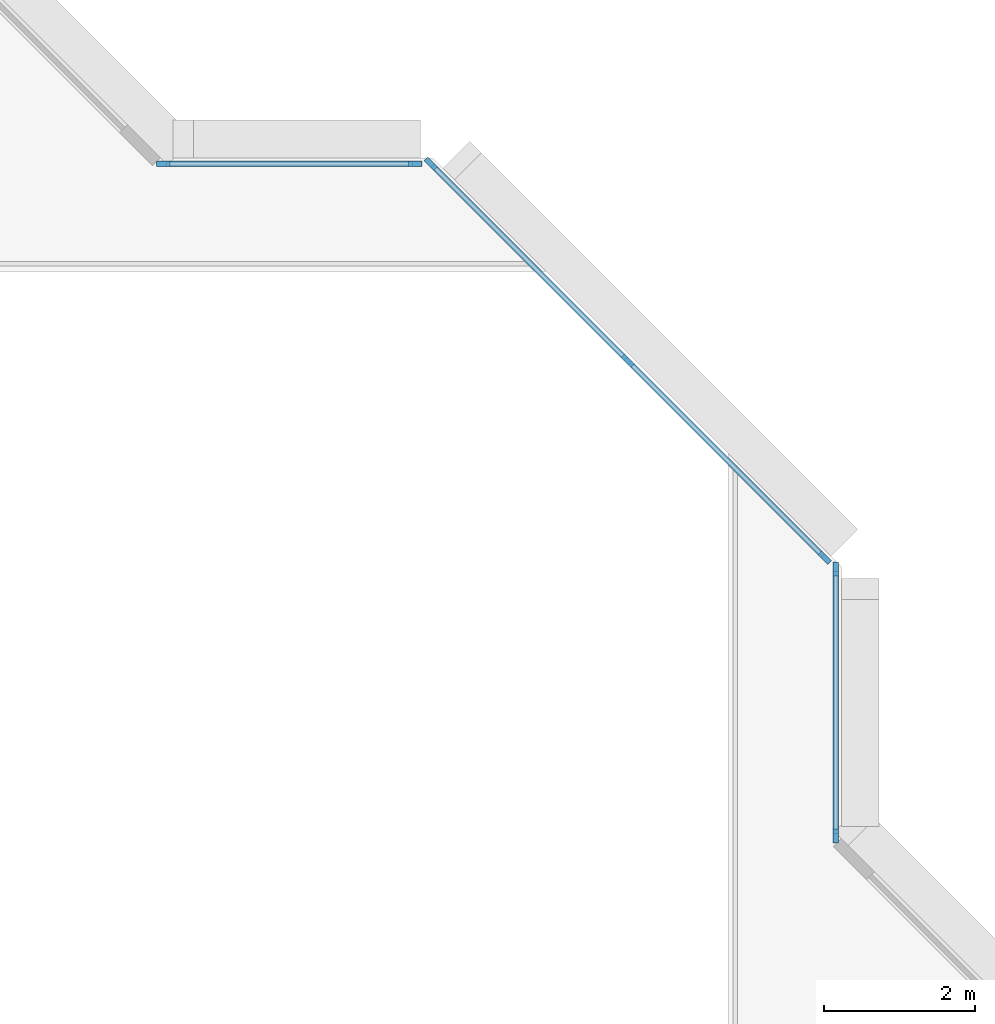
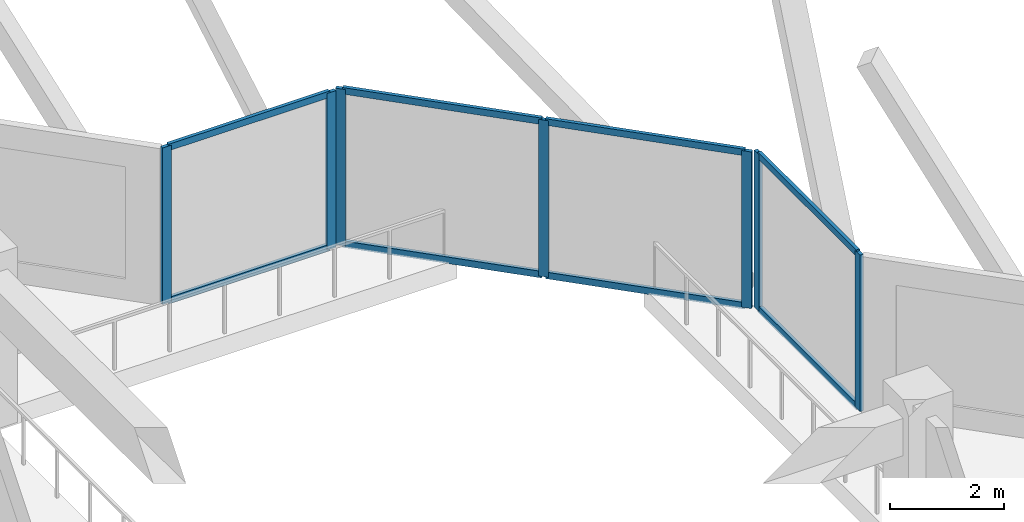
# One storey, part 2 of 14: 15 members, 3 elements without a shape of their own.
"""IFC4 building model written with IfcOpenShell, lengths in metres."""

import ifcopenshell
import ifcopenshell.guid

model = None  # the IFC model being written
_history = None  # IfcOwnerHistory: only IFC2X3 demands one
_inside = {}  # id of a spatial element -> (the spatial element, [elements in it])
_under = {}  # id of a project, library or spatial element -> (it, [spatial elements below it])
_declared = {}  # id of a project -> (the project, [libraries it declares])
_typed = {}  # id of a type object -> (the type object, [elements of that type])
_made_of = {}  # id of a material, layer set ... -> (it, [elements and type objects made of it])


def new_model(schema):
    """Start an empty IFC model of exactly this schema.

    Asked for "IFC4X3", IfcOpenShell would pick the latest addendum, in which some entities
    have other attributes; the version numbers below select the first issue.
    IFC2X3 requires an IfcOwnerHistory on every rooted entity: one is made here for all.
    """
    global model, _history
    if schema == "IFC4X3":
        model = ifcopenshell.file(schema_version=(4, 3, 0, 0))
    else:
        model = ifcopenshell.file(schema=schema)
    _inside.clear()
    _under.clear()
    _declared.clear()
    _typed.clear()
    _made_of.clear()
    _history = None
    if model.schema == "IFC2X3":
        org = make("IfcOrganization", Name="unknown")
        user = make(
            "IfcPersonAndOrganization",
            ThePerson=make("IfcPerson", FamilyName="unknown"),
            TheOrganization=org,
        )
        app = make(
            "IfcApplication",
            ApplicationDeveloper=org,
            Version="unknown",
            ApplicationFullName="unknown",
            ApplicationIdentifier="unknown",
        )
        _history = make(
            "IfcOwnerHistory",
            OwningUser=user,
            OwningApplication=app,
            ChangeAction="ADDED",
            CreationDate=0,
        )
    return model


def make(cls, **values):
    """One entity of the class cls with the attributes given. An attribute that is None is left unset."""
    return model.create_entity(
        cls, **{name: value for name, value in values.items() if value is not None}
    )


def rooted(cls, **values):
    """An entity with a GlobalId (a new one), such as an element, a storey or a relation."""
    return make(cls, GlobalId=ifcopenshell.guid.new(), OwnerHistory=_history, **values)


def si_unit(unit_type, name, prefix=None):
    """IfcSIUnit, for example si_unit("LENGTHUNIT", "METRE", prefix="MILLI")."""
    return make("IfcSIUnit", UnitType=unit_type, Prefix=prefix, Name=name)


def assignment(units):
    """IfcUnitAssignment: the units of a project."""
    return None if units is None else make("IfcUnitAssignment", Units=units)


def point(xyz):
    """IfcCartesianPoint."""
    return None if xyz is None else make("IfcCartesianPoint", Coordinates=xyz)


def direction(xyz):
    """IfcDirection."""
    return None if xyz is None else make("IfcDirection", DirectionRatios=xyz)


def frame(location, z_axis=None, x_axis=None):
    """IfcAxis2Placement3D, a coordinate frame: its origin and axes. An axis left out is left unset."""
    return make(
        "IfcAxis2Placement3D",
        Location=point(location),
        Axis=direction(z_axis),
        RefDirection=direction(x_axis),
    )


def frame_2d(location, x_axis=None):
    """IfcAxis2Placement2D, a coordinate frame in the plane: its origin and x axis."""
    return make(
        "IfcAxis2Placement2D", Location=point(location), RefDirection=direction(x_axis)
    )


def origin():
    """The frame at (0, 0, 0) with its axes left unset."""
    return frame((0.0, 0.0, 0.0))


def origin_2d():
    """The frame at (0, 0) in the plane with its x axis left unset."""
    return frame_2d((0.0, 0.0))


def place(relative_to, where):
    """IfcLocalPlacement: puts the frame where relative to a parent placement (None: the world)."""
    return make(
        "IfcLocalPlacement", PlacementRelTo=relative_to, RelativePlacement=where
    )


def context(
    kind, dimensions, precision=None, world=None, true_north=None, identifier=None
):
    """IfcGeometricRepresentationContext, for example the 3D "Model" context."""
    return make(
        "IfcGeometricRepresentationContext",
        ContextIdentifier=identifier,
        ContextType=kind,
        CoordinateSpaceDimension=dimensions,
        Precision=precision,
        WorldCoordinateSystem=world,
        TrueNorth=true_north,
    )


def subcontext(parent, identifier, kind, view, scale=None):
    """IfcGeometricRepresentationSubContext, for example "Body" below "Model"."""
    return make(
        "IfcGeometricRepresentationSubContext",
        ContextIdentifier=identifier,
        ContextType=kind,
        ParentContext=parent,
        TargetScale=scale,
        TargetView=view,
    )


def project(units=None, contexts=None):
    """IfcProject with its units and contexts."""
    return rooted(
        "IfcProject",
        Name="project",
        RepresentationContexts=contexts,
        UnitsInContext=assignment(units),
    )


def spatial(cls, under=None, at=None, **own):
    """A site, building, storey or space (cls), placed at a placement, below another one or the project."""
    s = rooted(cls, ObjectPlacement=at, **own)
    if under is not None:
        _under.setdefault(under.id(), (under, []))[1].append(s)
    return s


def profile(cls, at=None, kind="AREA", **sizes):
    """A parametric profile (cls). Its sizes go by their IFC names, for example OverallWidth=200.0."""
    return make(cls, ProfileType=kind, Position=at, **sizes)


def rectangle(**sizes):
    """IfcRectangleProfileDef."""
    return profile("IfcRectangleProfileDef", **sizes)


def extrude(swept, where, along, depth):
    """IfcExtrudedAreaSolid: the profile swept, set in the frame where, extruded along a direction by depth."""
    return make(
        "IfcExtrudedAreaSolid",
        SweptArea=swept,
        Position=where,
        ExtrudedDirection=direction(along),
        Depth=depth,
    )


def shape(context_of_items, identifier, shape_type, items):
    """IfcShapeRepresentation: the items that make up one representation, for example the "Body"."""
    return make(
        "IfcShapeRepresentation",
        ContextOfItems=context_of_items,
        RepresentationIdentifier=identifier,
        RepresentationType=shape_type,
        Items=items,
    )


def material(Name=None, Category=None):
    """IfcMaterial."""
    return make("IfcMaterial", Name=Name, Category=Category)


def layer(
    of_material, thickness, ventilated=None, Name=None, Category=None, Priority=None
):
    """IfcMaterialLayer: one layer of a wall or slab, of a material (None: an air gap)."""
    return make(
        "IfcMaterialLayer",
        Material=of_material,
        LayerThickness=thickness,
        IsVentilated=ventilated,
        Name=Name,
        Category=Category,
        Priority=Priority,
    )


def layer_set(layers, Name=None):
    """IfcMaterialLayerSet."""
    return make("IfcMaterialLayerSet", MaterialLayers=layers, LayerSetName=Name)


def material_profile(
    of_material, cross_section, Name=None, Category=None, Priority=None
):
    """IfcMaterialProfile: a cross section and its material."""
    return make(
        "IfcMaterialProfile",
        Name=Name,
        Material=of_material,
        Profile=cross_section,
        Priority=Priority,
        Category=Category,
    )


def profile_set(profiles, Name=None, composite=None):
    """IfcMaterialProfileSet."""
    return make(
        "IfcMaterialProfileSet",
        Name=Name,
        MaterialProfiles=profiles,
        CompositeProfile=composite,
    )


def made_of(thing, what):
    """Note that an element or type object is made of a material, layer set ...; save() writes the relation."""
    if what is not None:
        _made_of.setdefault(what.id(), (what, []))[1].append(thing)
    return thing


def type_object(cls, material=None, **own):
    """A type object (cls), such as IfcWallType, which elements share."""
    return made_of(rooted(cls, **own), material)


def element(
    cls,
    number,
    at=None,
    inside=None,
    cuts=None,
    type_object=None,
    material=None,
    context=None,
    identifier="Body",
    shape_type=None,
    held_by="IfcProductDefinitionShape",
    body=None,
    shapes=None,
    **own,
):
    """One element of the class cls, such as IfcWall. Its Tag is "e" and its number.

    at: its placement. inside: the storey or other place that contains it. cuts: it is an
    opening in that element (IfcRelVoidsElement). A single representation is given by context,
    identifier, shape_type and body (its items); several are given by shapes. held_by: the class
    of the entity that holds the representations. save() writes the other relations.
    """
    e = rooted(cls, Tag="e%d" % number, ObjectPlacement=at, **own)
    if body is not None:
        shapes = [shape(context, identifier, shape_type, body)]
    if shapes is not None:
        e.Representation = make(held_by, Representations=shapes)
    if inside is not None:
        _inside.setdefault(inside.id(), (inside, []))[1].append(e)
    if cuts is not None:
        rooted(
            "IfcRelVoidsElement", RelatingBuildingElement=cuts, RelatedOpeningElement=e
        )
    if type_object is not None:
        _typed.setdefault(type_object.id(), (type_object, []))[1].append(e)
    return made_of(e, material)


def aggregate(whole, parts):
    """IfcRelAggregates: a whole, such as a stair, and the parts it consists of."""
    return rooted("IfcRelAggregates", RelatingObject=whole, RelatedObjects=parts)


def save(model, path):
    """Write the relations noted so far, then the file.

    IfcRelAggregates (storeys below a building ...), IfcRelContainedInSpatialStructure (elements
    in a storey), IfcRelDefinesByType, IfcRelAssociatesMaterial and IfcRelDeclares: one each for
    every whole, place, type object, material and project.
    """
    for whole, parts in _under.values():
        aggregate(whole, parts)
    for where, things in _inside.values():
        rooted(
            "IfcRelContainedInSpatialStructure",
            RelatedElements=things,
            RelatingStructure=where,
        )
    for kind, things in _typed.values():
        rooted("IfcRelDefinesByType", RelatedObjects=things, RelatingType=kind)
    for what, things in _made_of.values():
        rooted("IfcRelAssociatesMaterial", RelatedObjects=things, RelatingMaterial=what)
    for by, libraries in _declared.values():
        rooted("IfcRelDeclares", RelatingContext=by, RelatedDefinitions=libraries)
    model.write(path)


model = new_model("IFC4")

# Units and contexts
model_context = context("Model", 3, precision=1e-05, world=origin(), true_north=direction((0.0, 1.0)))
body_context = subcontext(model_context, "Body", "Model", "MODEL_VIEW")
ifc_project = project(units=[si_unit("LENGTHUNIT", "METRE"), si_unit("AREAUNIT", "SQUARE_METRE"), si_unit("VOLUMEUNIT", "CUBIC_METRE"), si_unit("PLANEANGLEUNIT", "RADIAN"), si_unit("MASSUNIT", "GRAM", prefix="KILO")], contexts=[model_context])

# Site, building, storey
site_placement = place(None, origin())
site = spatial("IfcSite", under=ifc_project, at=site_placement, CompositionType="ELEMENT")
building_placement = place(site_placement, origin())
building = spatial("IfcBuilding", under=site, at=building_placement, Name="Chenar Terraces", CompositionType="ELEMENT")
storey_placement = place(building_placement, frame((0.0, 0.0, 179.89990234375)))
storey = spatial("IfcBuildingStorey", under=building, at=storey_placement, Name="L41", CompositionType="ELEMENT", Elevation=179.89990234375)

# Curtain wall, members
ifc_material_1 = material(Name="Aluminium framed glazing", Category="aluminium")
ifc_layer = layer(ifc_material_1, 0.14990234375)
ifc_layer_set = layer_set([ifc_layer], Name="Aluminium framed glazing")
curtain_wall_type = type_object("IfcCurtainWallType", Name="Atrium mid-zone curtain wall", PredefinedType="NOTDEFINED", material=ifc_layer_set)
placement = place(storey_placement, origin())
curtain_wall_1 = element("IfcCurtainWall", 1, at=placement, inside=storey, type_object=curtain_wall_type, Name="Atrium mid-zone curtain wall", PredefinedType="NOTDEFINED")
ifc_material_2 = material(Name="Aluminium", Category="aluminium")
ifc_material_profile_1 = material_profile(ifc_material_2, rectangle(XDim=0.070068359375, YDim=0.179931640625, at=origin_2d()), Name="Atrium mid-zone glazing mullion 70 x 180")
ifc_profile_set_1 = profile_set([ifc_material_profile_1], Name="Aluminium")
member_type_1 = type_object("IfcMemberType", Name="Atrium mid-zone glazing mullion 70 x 180", PredefinedType="MULLION", material=ifc_profile_set_1)
member_1_placement = place(storey_placement, frame((37.425048828125, 28.534912109375, 0.0), z_axis=(0.0, 0.0, 1.0), x_axis=(-1.0, 0.0, 0.0)))
member_1 = element("IfcMember", 2, at=member_1_placement, type_object=member_type_1, Name="CW7-1 mullion 1", PredefinedType="MULLION", context=body_context, shape_type="SweptSolid", body=[
    extrude(rectangle(XDim=0.070068359375, YDim=0.179931640625, at=origin_2d()), origin(), (0.0, 0.0, 1.0), 3.35009765625),
])
member_2_placement = place(storey_placement, frame((37.425048828125, 32.06494140625, 0.0), z_axis=(0.0, 0.0, 1.0), x_axis=(-1.0, 0.0, 0.0)))
member_2 = element("IfcMember", 3, at=member_2_placement, type_object=member_type_1, Name="CW7-1 mullion 2", PredefinedType="MULLION", context=body_context, shape_type="SweptSolid", body=[
    extrude(rectangle(XDim=0.070068359375, YDim=0.179931640625, at=origin_2d()), origin(), (0.0, 0.0, 1.0), 3.35009765625),
])

curtain_wall_2 = element("IfcCurtainWall", 4, at=placement, inside=storey, type_object=curtain_wall_type, Name="Atrium mid-zone curtain wall", PredefinedType="NOTDEFINED")
member_3_placement = place(storey_placement, frame((37.28076171875, 32.213134765625, 0.0), z_axis=(0.0, 0.0, 1.0), x_axis=(-0.707106781187, -0.707106781187, 0.0)))
member_3 = element("IfcMember", 5, at=member_3_placement, type_object=member_type_1, Name="CW7-2 mullion 1", PredefinedType="MULLION", context=body_context, shape_type="SweptSolid", body=[
    extrude(rectangle(XDim=0.070068359375, YDim=0.179931640625, at=origin_2d()), origin(), (0.0, 0.0, 1.0), 3.35009765625),
])
member_4_placement = place(storey_placement, frame((34.67626953125, 34.817626953125, 0.0), z_axis=(0.0, 0.0, 1.0), x_axis=(-0.707106781187, -0.707106781187, 0.0)))
member_4 = element("IfcMember", 6, at=member_4_placement, type_object=member_type_1, Name="CW7-2 mullion 2", PredefinedType="MULLION", context=body_context, shape_type="SweptSolid", body=[
    extrude(rectangle(XDim=0.070068359375, YDim=0.179931640625, at=origin_2d()), origin(), (0.0, 0.0, 1.0), 3.35009765625),
])
member_5_placement = place(storey_placement, frame((32.07177734375, 37.42236328125, 0.0), z_axis=(0.0, 0.0, 1.0), x_axis=(-0.707106781187, -0.707106781187, 0.0)))
member_5 = element("IfcMember", 7, at=member_5_placement, type_object=member_type_1, Name="CW7-2 mullion 3", PredefinedType="MULLION", context=body_context, shape_type="SweptSolid", body=[
    extrude(rectangle(XDim=0.070068359375, YDim=0.179931640625, at=origin_2d()), origin(), (0.0, 0.0, 1.0), 3.35009765625),
])

curtain_wall_3 = element("IfcCurtainWall", 8, at=placement, inside=storey, type_object=curtain_wall_type, Name="Atrium mid-zone curtain wall", PredefinedType="NOTDEFINED")
member_6_placement = place(storey_placement, frame((31.864990234375, 37.425048828125, 0.0), z_axis=(0.0, 0.0, 1.0), x_axis=(0.0, -1.0, 0.0)))
member_6 = element("IfcMember", 9, at=member_6_placement, type_object=member_type_1, Name="CW7-3 mullion 1", PredefinedType="MULLION", context=body_context, shape_type="SweptSolid", body=[
    extrude(rectangle(XDim=0.070068359375, YDim=0.179931640625, at=origin_2d()), origin(), (0.0, 0.0, 1.0), 3.35009765625),
])
member_7_placement = place(storey_placement, frame((28.534912109375, 37.425048828125, 0.0), z_axis=(0.0, 0.0, 1.0), x_axis=(0.0, -1.0, 0.0)))
member_7 = element("IfcMember", 10, at=member_7_placement, type_object=member_type_1, Name="CW7-3 mullion 2", PredefinedType="MULLION", context=body_context, shape_type="SweptSolid", body=[
    extrude(rectangle(XDim=0.070068359375, YDim=0.179931640625, at=origin_2d()), origin(), (0.0, 0.0, 1.0), 3.35009765625),
])

# Member
ifc_material_3 = material(Name="Aluminium", Category="aluminium")
ifc_material_profile_2 = material_profile(ifc_material_3, rectangle(XDim=0.070068359375, YDim=0.139892578125, at=origin_2d()), Name="Atrium mid-zone glazing transom 70 x 140")
ifc_profile_set_2 = profile_set([ifc_material_profile_2], Name="Aluminium")
member_type_2 = type_object("IfcMemberType", Name="Atrium mid-zone glazing transom 70 x 140", PredefinedType="USERDEFINED", material=ifc_profile_set_2)
member_8_placement = place(storey_placement, frame((37.425048828125, 28.570068359375, 0.03515625), z_axis=(0.0, 1.0, 0.0), x_axis=(-1.0, 0.0, 0.0)))
member_8 = element("IfcMember", 11, at=member_8_placement, type_object=member_type_2, Name="CW7-1 transom 1.1", ObjectType="TRANSOM", PredefinedType="USERDEFINED", context=body_context, shape_type="SweptSolid", body=[
    extrude(rectangle(XDim=0.070068359375, YDim=0.139892578125, at=origin_2d()), origin(), (0.0, 0.0, 1.0), 3.4599609375),
])

member_9_placement = place(storey_placement, frame((37.425048828125, 28.570068359375, 3.315185546875), z_axis=(0.0, 1.0, 0.0), x_axis=(-1.0, 0.0, 0.0)))
member_9 = element("IfcMember", 12, at=member_9_placement, type_object=member_type_2, Name="CW7-1 transom 1.2", ObjectType="TRANSOM", PredefinedType="USERDEFINED", context=body_context, shape_type="SweptSolid", body=[
    extrude(rectangle(XDim=0.070068359375, YDim=0.139892578125, at=origin_2d()), origin(), (0.0, 0.0, 1.0), 3.4599609375),
])

aggregate(curtain_wall_1, [member_1, member_2, member_8, member_9])

member_10_placement = place(storey_placement, frame((37.256103515625, 32.23779296875, 0.03515625), z_axis=(-0.707106781187, 0.707106781187, 0.0), x_axis=(-0.707106781187, -0.707106781187, 0.0)))
member_10 = element("IfcMember", 13, at=member_10_placement, type_object=member_type_2, Name="CW7-2 transom 1.1", ObjectType="TRANSOM", PredefinedType="USERDEFINED", context=body_context, shape_type="SweptSolid", body=[
    extrude(rectangle(XDim=0.070068359375, YDim=0.139892578125, at=origin_2d()), origin(), (0.0, 0.0, 1.0), 3.613525390625),
])

member_11_placement = place(storey_placement, frame((37.256103515625, 32.23779296875, 3.315185546875), z_axis=(-0.707106781187, 0.707106781187, 0.0), x_axis=(-0.707106781187, -0.707106781187, 0.0)))
member_11 = element("IfcMember", 14, at=member_11_placement, type_object=member_type_2, Name="CW7-2 transom 1.2", ObjectType="TRANSOM", PredefinedType="USERDEFINED", context=body_context, shape_type="SweptSolid", body=[
    extrude(rectangle(XDim=0.070068359375, YDim=0.139892578125, at=origin_2d()), origin(), (0.0, 0.0, 1.0), 3.613525390625),
])

member_12_placement = place(storey_placement, frame((34.651611328125, 34.842529296875, 0.03515625), z_axis=(-0.707140563131, 0.707072997628, 0.0), x_axis=(-0.707072997628, -0.707140563131, 0.0)))
member_12 = element("IfcMember", 15, at=member_12_placement, type_object=member_type_2, Name="CW7-2 transom 2.1", ObjectType="TRANSOM", PredefinedType="USERDEFINED", context=body_context, shape_type="SweptSolid", body=[
    extrude(rectangle(XDim=0.070068359375, YDim=0.139892578125, at=origin_2d()), origin(), (0.0, 0.0, 1.0), 3.61328125),
])

member_13_placement = place(storey_placement, frame((34.651611328125, 34.842529296875, 3.315185546875), z_axis=(-0.707140563131, 0.707072997628, 0.0), x_axis=(-0.707072997628, -0.707140563131, 0.0)))
member_13 = element("IfcMember", 16, at=member_13_placement, type_object=member_type_2, Name="CW7-2 transom 2.2", ObjectType="TRANSOM", PredefinedType="USERDEFINED", context=body_context, shape_type="SweptSolid", body=[
    extrude(rectangle(XDim=0.070068359375, YDim=0.139892578125, at=origin_2d()), origin(), (0.0, 0.0, 1.0), 3.61328125),
])

aggregate(curtain_wall_2, [member_3, member_4, member_5, member_10, member_11, member_12, member_13])

member_14_placement = place(storey_placement, frame((31.830078125, 37.425048828125, 0.03515625), z_axis=(-1.0, 0.0, 0.0), x_axis=(0.0, -1.0, 0.0)))
member_14 = element("IfcMember", 17, at=member_14_placement, type_object=member_type_2, Name="CW7-3 transom 1.1", ObjectType="TRANSOM", PredefinedType="USERDEFINED", context=body_context, shape_type="SweptSolid", body=[
    extrude(rectangle(XDim=0.070068359375, YDim=0.139892578125, at=origin_2d()), origin(), (0.0, 0.0, 1.0), 3.260009765625),
])

member_15_placement = place(storey_placement, frame((31.830078125, 37.425048828125, 3.315185546875), z_axis=(-1.0, 0.0, 0.0), x_axis=(0.0, -1.0, 0.0)))
member_15 = element("IfcMember", 18, at=member_15_placement, type_object=member_type_2, Name="CW7-3 transom 1.2", ObjectType="TRANSOM", PredefinedType="USERDEFINED", context=body_context, shape_type="SweptSolid", body=[
    extrude(rectangle(XDim=0.070068359375, YDim=0.139892578125, at=origin_2d()), origin(), (0.0, 0.0, 1.0), 3.260009765625),
])

aggregate(curtain_wall_3, [member_6, member_7, member_14, member_15])

save(model, "model.ifc")
